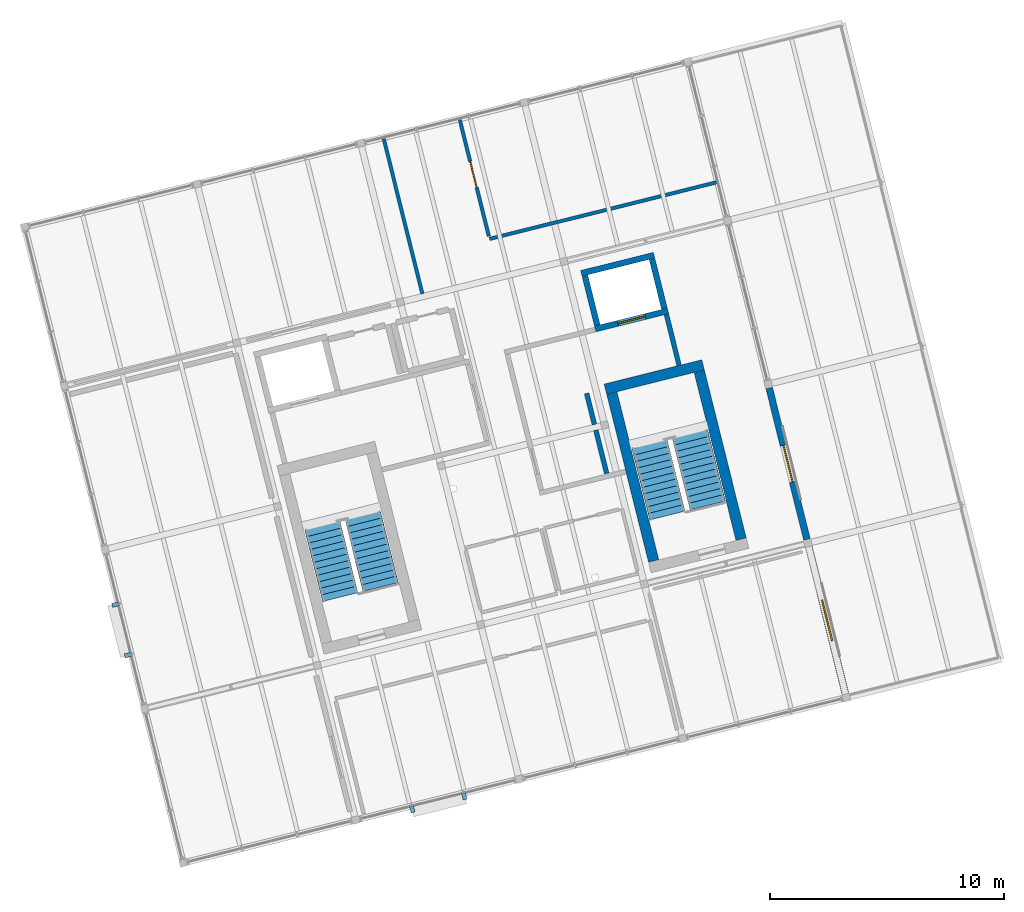
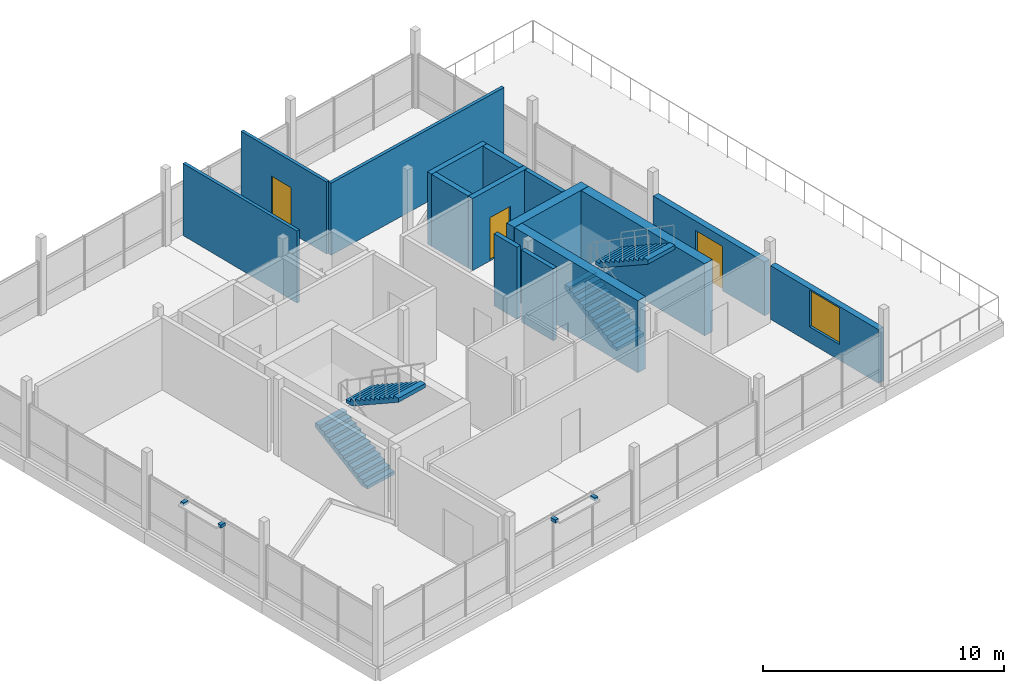
# One storey, part 23 of 24: 15 walls, 4 discrete accessories, 4 stair flights, 3 doors, 1 window, 4 openings, 2 elements without a shape of their own.
"""IFC4 building model written with IfcOpenShell, lengths in metres."""

from ifc_helpers import new_model, si_unit, direction, frame, frame_2d, origin, origin_2d, place, context, subcontext, project, spatial, polyline, rectangle, outline, extrude, material, layer, layer_set, type_object, element, fill, aggregate, save


model = new_model("IFC4")

# Units and contexts
model_context = context("Model", 3, precision=1e-05, world=origin(), true_north=direction((0.0, 1.0)))
body_context = subcontext(model_context, "Body", "Model", "MODEL_VIEW")
ifc_project = project(units=[si_unit("LENGTHUNIT", "METRE"), si_unit("AREAUNIT", "SQUARE_METRE"), si_unit("VOLUMEUNIT", "CUBIC_METRE"), si_unit("PLANEANGLEUNIT", "RADIAN"), si_unit("MASSUNIT", "GRAM", prefix="KILO")], contexts=[model_context])

# Site, building, storey
site_placement = place(None, origin())
site = spatial("IfcSite", under=ifc_project, at=site_placement, CompositionType="ELEMENT")
building_placement = place(site_placement, origin())
building = spatial("IfcBuilding", under=site, at=building_placement, Name="Meriwether Solvik Hall", CompositionType="ELEMENT")
storey_placement = place(building_placement, frame((0.0, 0.0, 57.300048828125)))
storey = spatial("IfcBuildingStorey", under=building, at=storey_placement, Name="L14", CompositionType="ELEMENT", Elevation=57.300048828125)

# Wall, opening, window
ifc_material_1 = material(Name="Cross-Laminated Timber and Mineral-Wool Insulation", Category="wood")
ifc_layer_1 = layer(ifc_material_1, 0.2900390625)
ifc_layer_set_1 = layer_set([ifc_layer_1], Name="Cross-Laminated Timber and Mineral-Wool Insulation")
wall_type_1 = type_object("IfcWallType", Name="WALL-EXT-290", PredefinedType="SOLIDWALL", material=ifc_layer_set_1)
wall_1_placement = place(storey_placement, frame((95.32861328125, 54.69775390625, 0.0), z_axis=(0.0, 0.0, 1.0), x_axis=(0.24190432951, -0.970300105825, 0.0)))
wall_1 = element("IfcWall", 1, at=wall_1_placement, inside=storey, type_object=wall_type_1, Name="L14 Timber Rainscreen Wall 2.0", PredefinedType="SOLIDWALL", context=body_context, shape_type="SweptSolid", body=[
    extrude(rectangle(XDim=6.461181640625, YDim=0.2900390625, at=frame_2d((3.23046875, 0.0))), origin(), (0.0, 0.0, 1.0), 2.724853515625),
])
opening_1_placement = place(wall_1_placement, frame((2.33056640625, 0.0, 0.800048828125)))
opening_1 = element("IfcOpeningElement", 2, at=opening_1_placement, cuts=wall_1, Name="Opening WN-188", PredefinedType="OPENING", context=body_context, shape_type="SweptSolid", body=[
    extrude(rectangle(XDim=1.800048828125, YDim=1.85009765625, at=frame_2d((0.89990234375, 0.925048828125))), frame((0.0, 0.156982421875, 0.0), z_axis=(0.0, -1.0, 0.0), x_axis=(1.0, 0.0, 0.0)), (0.0, 0.0, 1.0), 0.31396484375),
])
ifc_material_2 = material(Name="Thermally Broken Anodised Aluminium and Triple Low-E Glass", Category="aluminium")
window_type = type_object("IfcWindowType", Name="WIN-TW-UPP-180X185", PartitioningType="SINGLE_PANEL", PredefinedType="WINDOW", material=ifc_material_2)
window_placement = place(opening_1_placement, origin())
window = element("IfcWindow", 3, at=window_placement, inside=storey, type_object=window_type, Name="L14 Punched Window 2.0", OverallHeight=1.85009765625, OverallWidth=1.800048828125, PartitioningType="SINGLE_PANEL", PredefinedType="WINDOW", context=body_context, shape_type="SweptSolid", body=[
    extrude(rectangle(XDim=1.800048828125, YDim=1.85009765625, at=frame_2d((0.89990234375, 0.925048828125))), frame((0.0, 0.030029296875, 0.0), z_axis=(0.0, -1.0, 0.0), x_axis=(1.0, 0.0, 0.0)), (0.0, 0.0, 1.0), 0.06005859375),
])
fill(opening_1, window)

# Wall, opening, door
wall_2_placement = place(storey_placement, frame((93.635009765625, 61.48974609375, 0.0), z_axis=(0.0, 0.0, 1.0), x_axis=(0.241940521765, -0.970291082061, 0.0)))
wall_2 = element("IfcWall", 4, at=wall_2_placement, inside=storey, type_object=wall_type_1, Name="L14 Timber Rainscreen Wall 2.1", PredefinedType="SOLIDWALL", context=body_context, shape_type="SweptSolid", body=[
    extrude(rectangle(XDim=6.6611328125, YDim=0.2900390625, at=frame_2d((3.33056640625, 0.0))), origin(), (0.0, 0.0, 1.0), 2.724853515625),
])
opening_2_placement = place(wall_2_placement, frame((2.530517578125, 0.0, 0.0)))
opening_2 = element("IfcOpeningElement", 5, at=opening_2_placement, cuts=wall_2, Name="Opening D-120", PredefinedType="OPENING", context=body_context, shape_type="SweptSolid", body=[
    extrude(rectangle(XDim=1.60009765625, YDim=2.25, at=frame_2d((0.800048828125, 1.125))), frame((0.0, 0.156982421875, 0.0), z_axis=(0.0, -1.0, 0.0), x_axis=(1.0, 0.0, 0.0)), (0.0, 0.0, 1.0), 0.31396484375),
])
ifc_material_3 = material(Name="Thermally Broken Anodised Aluminium and Laminated Glass", Category="aluminium")
door_type_1 = type_object("IfcDoorType", Name="DR-EXT-TERR-1600", OperationType="DOUBLE_DOOR_SINGLE_SWING", PredefinedType="DOOR", material=ifc_material_3)
door_1_placement = place(opening_2_placement, origin())
door_1 = element("IfcDoor", 6, at=door_1_placement, inside=storey, type_object=door_type_1, Name="L14 Upper Sky Terrace Door", OperationType="DOUBLE_DOOR_SINGLE_SWING", OverallHeight=2.25, OverallWidth=1.60009765625, PredefinedType="DOOR", context=body_context, shape_type="SweptSolid", body=[
    extrude(rectangle(XDim=1.60009765625, YDim=2.25, at=frame_2d((0.800048828125, 1.125))), frame((0.0, 0.02490234375, 0.0), z_axis=(0.0, -1.0, 0.0), x_axis=(1.0, 0.0, 0.0)), (0.0, 0.0, 1.0), 0.050048828125),
])
fill(opening_2, door_1)

# Walls
ifc_material_4 = material(Name="Fire-Rated Type X Gypsum Board", Category="gypsum")
ifc_layer_2 = layer(ifc_material_4, 0.199951171875)
ifc_layer_set_2 = layer_set([ifc_layer_2], Name="Fire-Rated Type X Gypsum Board")
wall_type_2 = type_object("IfcWallType", Name="WALL-FIRE-200", PredefinedType="STANDARD", material=ifc_layer_set_2)
wall_3_placement = place(storey_placement, frame((86.691650390625, 57.841064453125, 0.0), z_axis=(0.0, 0.0, 1.0), x_axis=(-0.241992731984, 0.970278062035, 0.0)))
element("IfcWall", 7, at=wall_3_placement, inside=storey, type_object=wall_type_2, Name="L14 Interior Partition lb2_e_low", PredefinedType="STANDARD", context=body_context, shape_type="SweptSolid", body=[
    extrude(rectangle(XDim=1.90478515625, YDim=0.199951171875, at=frame_2d((0.952392578125, 0.0))), origin(), (0.0, 0.0, 1.0), 3.655029296875),
])
wall_4_placement = place(storey_placement, frame((86.169921875, 59.932861328125, 0.0), z_axis=(0.0, 0.0, 1.0), x_axis=(-0.241824833036, 0.970319921535, 0.0)))
element("IfcWall", 8, at=wall_4_placement, inside=storey, type_object=wall_type_2, Name="L14 Interior Partition lb2_e_low_s2", PredefinedType="STANDARD", context=body_context, shape_type="SweptSolid", body=[
    extrude(rectangle(XDim=1.3740234375, YDim=0.199951171875, at=frame_2d((0.68701171875, 0.0))), origin(), (0.0, 0.0, 1.0), 3.655029296875),
])
wall_5_placement = place(storey_placement, frame((89.784423828125, 62.466796875, 0.0), z_axis=(0.0, 0.0, 1.0), x_axis=(-0.241968821437, 0.970284025146, 0.0)))
element("IfcWall", 9, at=wall_5_placement, inside=storey, type_object=wall_type_2, Name="L14 Interior Partition lb2_e", PredefinedType="STANDARD", context=body_context, shape_type="SweptSolid", body=[
    extrude(rectangle(XDim=2.229736328125, YDim=0.199951171875, at=frame_2d((1.11474609375, 0.0))), origin(), (0.0, 0.0, 1.0), 3.655029296875),
])
ifc_material_5 = material(Name="Concrete C40/50", Category="concrete")
ifc_layer_3 = layer(ifc_material_5, 0.25)
ifc_layer_set_3 = layer_set([ifc_layer_3], Name="Concrete C40/50")
wall_type_3 = type_object("IfcWallType", Name="WALL-HOIST-250", PredefinedType="SHEAR", material=ifc_layer_set_3)
wall_6_placement = place(storey_placement, frame((88.716552734375, 67.162841796875, 0.0), z_axis=(0.0, 0.0, 1.0), x_axis=(-0.970294894235, -0.241925232711, 0.0)))
element("IfcWall", 10, at=wall_6_placement, inside=storey, type_object=wall_type_3, Name="Hoistway BANK2 North Wall (L14)", PredefinedType="SHEAR", context=body_context, shape_type="SweptSolid", body=[
    extrude(rectangle(XDim=3.199951171875, YDim=0.25, at=frame_2d((1.60009765625, 0.0))), origin(), (0.0, 0.0, 1.0), 3.655029296875),
])
for number, where, z_axis, x_axis, name in (
    (11, (85.765625, 66.287841796875, 0.0), (0.0, 0.0, 1.0), (0.241903146974, -0.970300400641, 0.0), "Hoistway BANK2 West Wall (L14)"),
    (12, (89.1552734375, 64.886474609375, 0.0), (0.0, 0.0, 1.0), (-0.241903146974, 0.970300400641, 0.0), "Hoistway BANK2 East Wall (L14)"),
):
    element("IfcWall", number, at=place(storey_placement, frame(where, z_axis=z_axis, x_axis=x_axis)), inside=storey, type_object=wall_type_3, Name=name, PredefinedType="SHEAR", context=body_context, shape_type="SweptSolid", body=[
        extrude(rectangle(XDim=2.179931640625, YDim=0.25, at=frame_2d((1.08984375, 0.0))), origin(), (0.0, 0.0, 1.0), 3.655029296875),
    ])

# Wall, opening, door
wall_7_placement = place(storey_placement, frame((86.204345703125, 64.011474609375, 0.0), z_axis=(0.0, 0.0, 1.0), x_axis=(0.970294894235, 0.241925232711, 0.0)))
wall_7 = element("IfcWall", 13, at=wall_7_placement, inside=storey, type_object=wall_type_3, Name="Lift LF-02 Landing Wall (L14)", PredefinedType="SHEAR", context=body_context, shape_type="SweptSolid", body=[
    extrude(rectangle(XDim=3.199951171875, YDim=0.25, at=frame_2d((1.60009765625, 0.0))), origin(), (0.0, 0.0, 1.0), 3.655029296875),
])
opening_3_placement = place(wall_7_placement, frame((1.0, 0.0, 0.0)))
opening_3 = element("IfcOpeningElement", 14, at=opening_3_placement, cuts=wall_7, Name="Opening LD-02", PredefinedType="OPENING", context=body_context, shape_type="SweptSolid", body=[
    extrude(rectangle(XDim=1.199951171875, YDim=2.199951171875, at=frame_2d((0.60009765625, 1.10009765625))), frame((0.0, 0.136962890625, 0.0), z_axis=(0.0, -1.0, 0.0), x_axis=(1.0, 0.0, 0.0)), (0.0, 0.0, 1.0), 0.27392578125),
])
ifc_material_6 = material(Name="Stainless Steel AISI 316", Category="steel")
door_type_2 = type_object("IfcDoorType", Name="DR-LIFT-FSAE", OperationType="DOUBLE_DOOR_SLIDING", PredefinedType="DOOR", material=ifc_material_6)
door_2_placement = place(opening_3_placement, origin())
door_2 = element("IfcDoor", 15, at=door_2_placement, inside=storey, type_object=door_type_2, Name="Lift Landing Door LF-02 (L14)", OperationType="DOUBLE_DOOR_SLIDING", OverallHeight=2.199951171875, OverallWidth=1.199951171875, PredefinedType="DOOR", context=body_context, shape_type="SweptSolid", body=[
    extrude(rectangle(XDim=1.199951171875, YDim=2.199951171875, at=frame_2d((0.60009765625, 1.10009765625))), frame((0.0, 0.02490234375, 0.0), z_axis=(0.0, -1.0, 0.0), x_axis=(1.0, 0.0, 0.0)), (0.0, 0.0, 1.0), 0.050048828125),
])
fill(opening_3, door_2)

# Walls
ifc_material_7 = material(Name="Gypsum Board Partition", Category="gypsum")
ifc_layer_4 = layer(ifc_material_7, 0.14990234375)
ifc_layer_set_4 = layer_set([ifc_layer_4], Name="Gypsum Board Partition")
wall_type_4 = type_object("IfcWallType", Name="WALL-PART-150", PredefinedType="PARTITIONING", material=ifc_layer_set_4)
wall_8_placement = place(storey_placement, frame((78.8212890625, 65.51513671875, 0.0), z_axis=(0.0, 0.0, 1.0), x_axis=(-0.241929101822, 0.970293929534, 0.0)))
element("IfcWall", 16, at=wall_8_placement, inside=storey, type_object=wall_type_4, Name="L14 Interior Partition read_14n_e", PredefinedType="PARTITIONING", context=body_context, shape_type="SweptSolid", body=[
    extrude(rectangle(XDim=6.81982421875, YDim=0.14990234375, at=frame_2d((3.409912109375, 0.0))), origin(), (0.0, 0.0, 1.0), 3.655029296875),
])
wall_9_placement = place(storey_placement, frame((81.689453125, 67.8583984375, 0.0), z_axis=(0.0, 0.0, 1.0), x_axis=(0.970291819732, 0.241937563353, 0.0)))
element("IfcWall", 17, at=wall_9_placement, inside=storey, type_object=wall_type_4, Name="L14 Interior Partition fell_14ne_s", PredefinedType="PARTITIONING", context=body_context, shape_type="SweptSolid", body=[
    extrude(rectangle(XDim=9.990234375, YDim=0.14990234375, at=frame_2d((4.9951171875, 0.0))), origin(), (0.0, 0.0, 1.0), 3.655029296875),
])

# Wall, opening, door
wall_10_placement = place(storey_placement, frame((80.421875, 72.94287109375, 0.0), z_axis=(0.0, 0.0, 1.0), x_axis=(0.241896058636, -0.970302167789, 0.0)))
wall_10 = element("IfcWall", 18, at=wall_10_placement, inside=storey, type_object=wall_type_4, Name="L14 Interior Partition fell_14ne_w", PredefinedType="PARTITIONING", context=body_context, shape_type="SweptSolid", body=[
    extrude(rectangle(XDim=5.1201171875, YDim=0.14990234375, at=frame_2d((2.56005859375, 0.0))), origin(), (0.0, 0.0, 1.0), 3.655029296875),
])
opening_4_placement = place(wall_10_placement, frame((1.831298828125, 0.0, 0.0)))
opening_4 = element("IfcOpeningElement", 19, at=opening_4_placement, cuts=wall_10, Name="Opening D-149", PredefinedType="OPENING", context=body_context, shape_type="SweptSolid", body=[
    extrude(rectangle(XDim=1.14990234375, YDim=2.300048828125, at=frame_2d((0.574951171875, 1.14990234375))), frame((0.0, 0.0869140625, 0.0), z_axis=(0.0, -1.0, 0.0), x_axis=(1.0, 0.0, 0.0)), (0.0, 0.0, 1.0), 0.173828125),
])
ifc_material_8 = material(Name="Laminated Vision Glass and Solid White Oak Timber", Category="wood")
door_type_3 = type_object("IfcDoorType", Name="DR-SEM-1150L", OperationType="SINGLE_SWING_LEFT", PredefinedType="DOOR", material=ifc_material_8)
door_3_placement = place(opening_4_placement, origin())
door_3 = element("IfcDoor", 20, at=door_3_placement, inside=storey, type_object=door_type_3, Name="L14 Senior Fellows Seminar Suite Door", OperationType="SINGLE_SWING_LEFT", OverallHeight=2.300048828125, OverallWidth=1.14990234375, PredefinedType="DOOR", context=body_context, shape_type="SweptSolid", body=[
    extrude(rectangle(XDim=1.14990234375, YDim=2.300048828125, at=frame_2d((0.574951171875, 1.14990234375))), frame((0.0, 0.02490234375, 0.0), z_axis=(0.0, -1.0, 0.0), x_axis=(1.0, 0.0, 0.0)), (0.0, 0.0, 1.0), 0.050048828125),
])
fill(opening_4, door_3)

# Walls
ifc_material_9 = material(Name="Concrete C45/55", Category="concrete")
ifc_layer_5 = layer(ifc_material_9, 0.449951171875)
ifc_layer_set_5 = layer_set([ifc_layer_5], Name="Concrete C45/55")
wall_type_5 = type_object("IfcWallType", Name="WALL-RC-450", PredefinedType="SHEAR", material=ifc_layer_set_5)
wall_11_placement = place(storey_placement, frame((90.8115234375, 62.48046875, 0.0), z_axis=(0.0, 0.0, 1.0), x_axis=(-0.970309259708, -0.2418676095, 0.0)))
element("IfcWall", 21, at=wall_11_placement, inside=storey, type_object=wall_type_5, Name="CORE-2 Shear Wall N (L14)", PredefinedType="SHEAR", context=body_context, shape_type="SweptSolid", body=[
    extrude(rectangle(XDim=4.300048828125, YDim=0.449951171875, at=frame_2d((2.14990234375, 0.0))), origin(), (0.0, 0.0, 1.0), 3.655029296875),
])
for number, where, z_axis, x_axis, name in (
    (22, (86.91455078125, 61.266845703125, 0.0), (0.0, 0.0, 1.0), (0.241889515465, -0.970303798976, 0.0), "CORE-2 Shear Wall W (L14)"),
    (23, (92.435546875, 55.037353515625, 0.0), (0.0, 0.0, 1.0), (-0.241920660665, 0.970296034179, 0.0), "CORE-2 Shear Wall E (L14)"),
):
    element("IfcWall", number, at=place(storey_placement, frame(where, z_axis=z_axis, x_axis=x_axis)), inside=storey, type_object=wall_type_5, Name=name, PredefinedType="SHEAR", context=body_context, shape_type="SweptSolid", body=[
        extrude(rectangle(XDim=7.380126953125, YDim=0.449951171875, at=frame_2d((3.68994140625, 0.0))), origin(), (0.0, 0.0, 1.0), 3.655029296875),
    ])

# Stair, stair flights
ifc_material_10 = material(Name="Concrete C40/50", Category="concrete")
stair_type = type_object("IfcStairType", Name="STR-CORE-DOGLEG-A", PredefinedType="TWO_STRAIGHT_RUN_STAIR", material=ifc_material_10)
stair_1_placement = place(storey_placement, origin())
stair_1 = element("IfcStair", 24, at=stair_1_placement, inside=storey, type_object=stair_type, Name="Exit Stair ST-01 (L14)", PredefinedType="TWO_STRAIGHT_RUN_STAIR")
ifc_material_11 = material(Name="Concrete C40/50", Category="concrete")
stair_flight_type = type_object("IfcStairFlightType", Name="SFL-RC-156", PredefinedType="STRAIGHT", material=ifc_material_11)
stair_flight_1_placement = place(storey_placement, frame((75.310791015625, 52.56103515625, 0.0), z_axis=(0.0, 0.0, 1.0), x_axis=(-0.2419218956, 0.970295726276, 0.0)))
stair_flight_1 = element("IfcStairFlight", 25, at=stair_flight_1_placement, type_object=stair_flight_type, Name="Stair ST-01 Lower Flight (L14)", NumberOfRisers=12, NumberOfTreads=11, PredefinedType="STRAIGHT", RiserHeight=0.1625, TreadLength=0.285, context=body_context, shape_type="SweptSolid", body=[
    extrude(outline(polyline([(0.0, 0.0), (0.0, 0.16259765625), (0.284912109375, 0.16259765625), (0.284912109375, 0.324951171875), (0.570068359375, 0.324951171875), (0.570068359375, 0.487548828125), (0.85498046875, 0.487548828125), (0.85498046875, 0.64990234375), (1.139892578125, 0.64990234375), (1.139892578125, 0.8125), (1.425048828125, 0.8125), (1.425048828125, 0.97509765625), (1.7099609375, 0.97509765625), (1.7099609375, 1.137451171875), (1.9951171875, 1.137451171875), (1.9951171875, 1.300048828125), (2.280029296875, 1.300048828125), (2.280029296875, 1.46240234375), (2.56494140625, 1.46240234375), (2.56494140625, 1.625), (2.85009765625, 1.625), (2.85009765625, 1.78759765625), (3.135009765625, 1.78759765625), (3.135009765625, 1.949951171875), (3.135009765625, 1.580322265625), (0.36328125, 0.0), (0.0, 0.0)])), frame((0.0, 0.780029296875, 0.0), z_axis=(0.0, -1.0, 0.0), x_axis=(1.0, 0.0, 0.0)), (0.0, 0.0, 1.0), 1.56005859375),
])
stair_flight_2_placement = place(storey_placement, frame((76.279541015625, 56.033447265625, 1.949951171875), z_axis=(0.0, 0.0, 1.0), x_axis=(0.2419218956, -0.970295726276, 0.0)))
stair_flight_2 = element("IfcStairFlight", 26, at=stair_flight_2_placement, type_object=stair_flight_type, Name="Stair ST-01 Upper Flight (L14)", NumberOfRisers=12, NumberOfTreads=11, PredefinedType="STRAIGHT", RiserHeight=0.1625, TreadLength=0.285, context=body_context, shape_type="SweptSolid", body=[
    extrude(outline(polyline([(0.0, 0.0), (0.0, 0.16259765625), (0.284912109375, 0.16259765625), (0.284912109375, 0.324951171875), (0.570068359375, 0.324951171875), (0.570068359375, 0.487548828125), (0.85498046875, 0.487548828125), (0.85498046875, 0.64990234375), (1.139892578125, 0.64990234375), (1.139892578125, 0.8125), (1.425048828125, 0.8125), (1.425048828125, 0.97509765625), (1.7099609375, 0.97509765625), (1.7099609375, 1.137451171875), (1.9951171875, 1.137451171875), (1.9951171875, 1.300048828125), (2.280029296875, 1.300048828125), (2.280029296875, 1.46240234375), (2.56494140625, 1.46240234375), (2.56494140625, 1.625), (2.85009765625, 1.625), (2.85009765625, 1.78759765625), (3.135009765625, 1.78759765625), (3.135009765625, 1.949951171875), (3.135009765625, 1.580322265625), (0.36328125, 0.0), (0.0, 0.0)])), frame((0.0, 0.780029296875, 0.0), z_axis=(0.0, -1.0, 0.0), x_axis=(1.0, 0.0, 0.0)), (0.0, 0.0, 1.0), 1.56005859375),
])
aggregate(stair_1, [stair_flight_1, stair_flight_2])

stair_2_placement = place(storey_placement, origin())
stair_2 = element("IfcStair", 27, at=stair_2_placement, inside=storey, type_object=stair_type, Name="Exit Stair ST-02 (L14)", PredefinedType="TWO_STRAIGHT_RUN_STAIR")
stair_flight_3_placement = place(storey_placement, frame((89.283203125, 56.044677734375, 0.0), z_axis=(0.0, 0.0, 1.0), x_axis=(-0.2419218956, 0.970295726276, 0.0)))
stair_flight_3 = element("IfcStairFlight", 28, at=stair_flight_3_placement, type_object=stair_flight_type, Name="Stair ST-02 Lower Flight (L14)", NumberOfRisers=12, NumberOfTreads=11, PredefinedType="STRAIGHT", RiserHeight=0.1625, TreadLength=0.285, context=body_context, shape_type="SweptSolid", body=[
    extrude(outline(polyline([(0.0, 0.0), (0.0, 0.16259765625), (0.284912109375, 0.16259765625), (0.284912109375, 0.324951171875), (0.570068359375, 0.324951171875), (0.570068359375, 0.487548828125), (0.85498046875, 0.487548828125), (0.85498046875, 0.64990234375), (1.139892578125, 0.64990234375), (1.139892578125, 0.8125), (1.425048828125, 0.8125), (1.425048828125, 0.97509765625), (1.7099609375, 0.97509765625), (1.7099609375, 1.137451171875), (1.9951171875, 1.137451171875), (1.9951171875, 1.300048828125), (2.280029296875, 1.300048828125), (2.280029296875, 1.46240234375), (2.56494140625, 1.46240234375), (2.56494140625, 1.625), (2.85009765625, 1.625), (2.85009765625, 1.78759765625), (3.135009765625, 1.78759765625), (3.135009765625, 1.949951171875), (3.135009765625, 1.580322265625), (0.36328125, 0.0), (0.0, 0.0)])), frame((0.0, 0.780029296875, 0.0), z_axis=(0.0, -1.0, 0.0), x_axis=(1.0, 0.0, 0.0)), (0.0, 0.0, 1.0), 1.56005859375),
])
stair_flight_4_placement = place(storey_placement, frame((90.251953125, 59.51708984375, 1.949951171875), z_axis=(0.0, 0.0, 1.0), x_axis=(0.2419218956, -0.970295726276, 0.0)))
stair_flight_4 = element("IfcStairFlight", 29, at=stair_flight_4_placement, type_object=stair_flight_type, Name="Stair ST-02 Upper Flight (L14)", NumberOfRisers=12, NumberOfTreads=11, PredefinedType="STRAIGHT", RiserHeight=0.1625, TreadLength=0.285, context=body_context, shape_type="SweptSolid", body=[
    extrude(outline(polyline([(0.0, 0.0), (0.0, 0.16259765625), (0.284912109375, 0.16259765625), (0.284912109375, 0.324951171875), (0.570068359375, 0.324951171875), (0.570068359375, 0.487548828125), (0.85498046875, 0.487548828125), (0.85498046875, 0.64990234375), (1.139892578125, 0.64990234375), (1.139892578125, 0.8125), (1.425048828125, 0.8125), (1.425048828125, 0.97509765625), (1.7099609375, 0.97509765625), (1.7099609375, 1.137451171875), (1.9951171875, 1.137451171875), (1.9951171875, 1.300048828125), (2.280029296875, 1.300048828125), (2.280029296875, 1.46240234375), (2.56494140625, 1.46240234375), (2.56494140625, 1.625), (2.85009765625, 1.625), (2.85009765625, 1.78759765625), (3.135009765625, 1.78759765625), (3.135009765625, 1.949951171875), (3.135009765625, 1.580322265625), (0.36328125, 0.0), (0.0, 0.0)])), frame((0.0, 0.780029296875, 0.0), z_axis=(0.0, -1.0, 0.0), x_axis=(1.0, 0.0, 0.0)), (0.0, 0.0, 1.0), 1.56005859375),
])
aggregate(stair_2, [stair_flight_3, stair_flight_4])

# Discrete accessories
ifc_material_12 = material(Name="Steel A36 Galvanised", Category="steel")
discrete_accessory_type = type_object("IfcDiscreteAccessoryType", Name="ACC-BRK-STL", PredefinedType="BRACKET", material=ifc_material_12)
for number, where, z_axis, x_axis, name in (
    (30, (80.61083984375, 44.05029296875, 2.4248046875), (0.0, 0.0, 1.0), (-0.970295730764, -0.241921877598, 0.0), "Sunshade Outrigger Bracket E0_B1-1"),
    (31, (78.3916015625, 43.4970703125, 2.4248046875), (0.0, 0.0, 1.0), (-0.970295730764, -0.241921877598, 0.0), "Sunshade Outrigger Bracket E0_B1-2"),
    (32, (66.240966796875, 50.0830078125, 2.4248046875), (0.0, 0.0, 1.0), (-0.241921784185, 0.970295754055, 0.0), "Sunshade Outrigger Bracket E3_B1-1"),
    (33, (65.703857421875, 52.2373046875, 2.4248046875), (0.0, 0.0, 1.0), (-0.241921784185, 0.970295754055, 0.0), "Sunshade Outrigger Bracket E3_B1-2"),
):
    element("IfcDiscreteAccessory", number, at=place(storey_placement, frame(where, z_axis=z_axis, x_axis=x_axis)), inside=storey, type_object=discrete_accessory_type, Name=name, PredefinedType="BRACKET", context=body_context, shape_type="SweptSolid", body=[
        extrude(rectangle(XDim=0.179931640625, YDim=0.280029296875, at=origin_2d()), origin(), (0.0, 0.0, 1.0), 0.159912109375),
    ])

save(model, "model.ifc")
